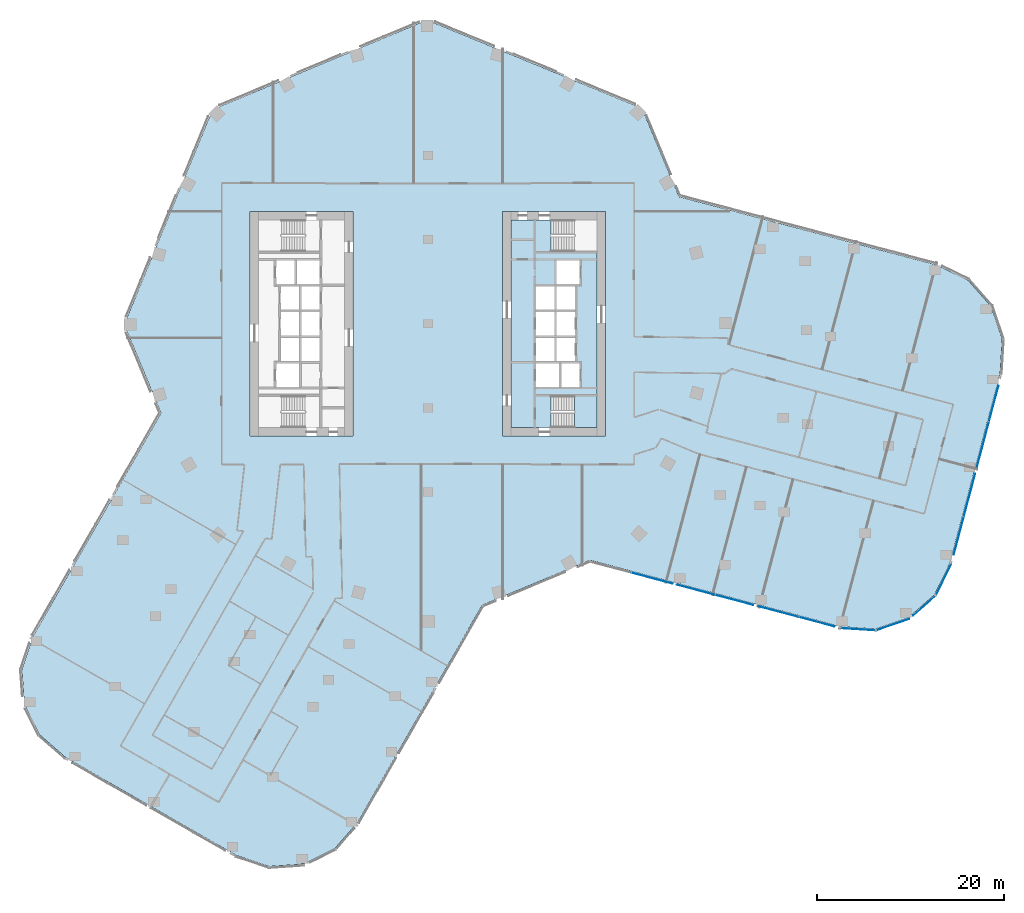
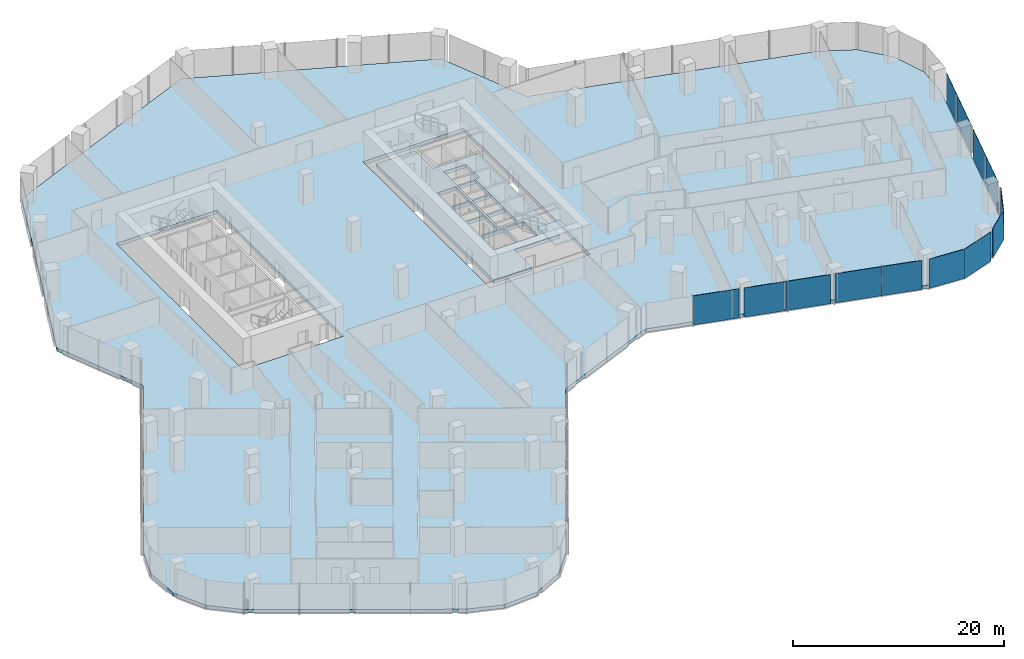
# One storey, part 22 of 34: 13 plates, 3 slabs, 7 elements without a shape of their own.
"""IFC4 building model written with IfcOpenShell, lengths in metres."""

from ifc_helpers import new_model, si_unit, direction, frame, origin, origin_2d, place, context, subcontext, project, spatial, polyline, rectangle, outline, extrude, material, layer, layer_set, type_object, element, aggregate, save


model = new_model("IFC4")

# Units and contexts
model_context = context("Model", 3, precision=1e-05, world=origin(), true_north=direction((0.0, 1.0)))
body_context = subcontext(model_context, "Body", "Model", "MODEL_VIEW")
ifc_project = project(units=[si_unit("LENGTHUNIT", "METRE"), si_unit("AREAUNIT", "SQUARE_METRE"), si_unit("VOLUMEUNIT", "CUBIC_METRE"), si_unit("PLANEANGLEUNIT", "RADIAN"), si_unit("MASSUNIT", "GRAM", prefix="KILO")], contexts=[model_context])

# Site, building, storey
site_placement = place(None, origin())
site = spatial("IfcSite", under=ifc_project, at=site_placement, CompositionType="ELEMENT")
building_placement = place(site_placement, origin())
building = spatial("IfcBuilding", under=site, at=building_placement, Name="Orlundy Tower", CompositionType="ELEMENT")
storey_placement = place(building_placement, frame((0.0, 0.0, 112.699951171875)))
storey = spatial("IfcBuildingStorey", under=building, at=storey_placement, Name="L28", CompositionType="ELEMENT", Elevation=112.699951171875)

# Curtain wall, plates
ifc_material_1 = material(Name="Aluminium bronze anodised", Category="aluminium")
curtain_wall_type = type_object("IfcCurtainWallType", Name="CW1 wall", PredefinedType="NOTDEFINED", material=ifc_material_1)
curtain_wall_1_placement = place(storey_placement, origin())
curtain_wall_1 = element("IfcCurtainWall", 1, at=curtain_wall_1_placement, inside=storey, type_object=curtain_wall_type, Name="CW1 run 00", PredefinedType="NOTDEFINED")
ifc_material_2 = material(Name="Tinted glass", Category="glass")
ifc_layer_1 = layer(ifc_material_2, 0.031982421875)
ifc_layer_set_1 = layer_set([ifc_layer_1], Name="CW1 glass panel 32")
plate_type = type_object("IfcPlateType", Name="CW1 glass panel 32", PredefinedType="CURTAIN_PANEL", material=ifc_layer_set_1)
plate_1_placement = place(storey_placement, frame((41.577392578125, -31.870361328125, -0.27978515625), z_axis=(0.0, 0.0, 1.0), x_axis=(-0.966673796654, 0.256011270968, 0.0)))
plate_1 = element("IfcPlate", 2, at=plate_1_placement, type_object=plate_type, Name="CW1 panel", PredefinedType="CURTAIN_PANEL", context=body_context, shape_type="SweptSolid", body=[
    extrude(rectangle(XDim=3.91357421875, YDim=0.031982421875, at=origin_2d()), origin(), (0.0, 0.0, 1.0), 3.3798828125),
])
plate_2_placement = place(storey_placement, frame((37.4482421875, -30.77685546875, -0.27978515625), z_axis=(0.0, 0.0, 1.0), x_axis=(-0.966673796654, 0.256011270968, 0.0)))
plate_2 = element("IfcPlate", 3, at=plate_2_placement, type_object=plate_type, Name="CW1 panel", PredefinedType="CURTAIN_PANEL", context=body_context, shape_type="SweptSolid", body=[
    extrude(rectangle(XDim=4.529541015625, YDim=0.031982421875, at=origin_2d()), origin(), (0.0, 0.0, 1.0), 3.3798828125),
])
plate_3_placement = place(storey_placement, frame((32.767578125, -29.537109375, -0.27978515625), z_axis=(0.0, 0.0, 1.0), x_axis=(-0.966673796654, 0.256011270968, 0.0)))
plate_3 = element("IfcPlate", 4, at=plate_3_placement, type_object=plate_type, Name="CW1 panel", PredefinedType="CURTAIN_PANEL", context=body_context, shape_type="SweptSolid", body=[
    extrude(rectangle(XDim=4.208984375, YDim=0.031982421875, at=origin_2d()), origin(), (0.0, 0.0, 1.0), 3.3798828125),
])
plate_4_placement = place(storey_placement, frame((28.638916015625, -28.44384765625, -0.27978515625), z_axis=(0.0, 0.0, 1.0), x_axis=(-0.966673796654, 0.256011270968, 0.0)))
plate_4 = element("IfcPlate", 5, at=plate_4_placement, type_object=plate_type, Name="CW1 panel", PredefinedType="CURTAIN_PANEL", context=body_context, shape_type="SweptSolid", body=[
    extrude(rectangle(XDim=4.232666015625, YDim=0.031982421875, at=origin_2d()), origin(), (0.0, 0.0, 1.0), 3.3798828125),
])
plate_5_placement = place(storey_placement, frame((23.957275390625, -27.203857421875, -0.27978515625), z_axis=(0.0, 0.0, 1.0), x_axis=(-0.966673796654, 0.256011270968, 0.0)))
plate_5 = element("IfcPlate", 6, at=plate_5_placement, type_object=plate_type, Name="CW1 panel", PredefinedType="CURTAIN_PANEL", context=body_context, shape_type="SweptSolid", body=[
    extrude(rectangle(XDim=4.503662109375, YDim=0.031982421875, at=origin_2d()), origin(), (0.0, 0.0, 1.0), 3.3798828125),
])
aggregate(curtain_wall_1, [plate_1, plate_2, plate_3, plate_4, plate_5])

curtain_wall_2_placement = place(storey_placement, origin())
curtain_wall_2 = element("IfcCurtainWall", 7, at=curtain_wall_2_placement, inside=storey, type_object=curtain_wall_type, Name="CW1 run 023", PredefinedType="NOTDEFINED")
plate_6_placement = place(storey_placement, frame((60.492431640625, -8.54443359375, -0.27978515625), z_axis=(0.0, 0.0, 1.0), x_axis=(-0.255990719194, -0.966679239296, 0.0)))
plate_6 = element("IfcPlate", 8, at=plate_6_placement, type_object=plate_type, Name="CW1 panel", PredefinedType="CURTAIN_PANEL", context=body_context, shape_type="SweptSolid", body=[
    extrude(rectangle(XDim=3.903076171875, YDim=0.031982421875, at=origin_2d()), origin(), (0.0, 0.0, 1.0), 3.3798828125),
])
plate_7_placement = place(storey_placement, frame((59.342041015625, -12.888916015625, -0.27978515625), z_axis=(0.0, 0.0, 1.0), x_axis=(-0.255990719194, -0.966679239296, 0.0)))
plate_7 = element("IfcPlate", 9, at=plate_7_placement, type_object=plate_type, Name="CW1 panel", PredefinedType="CURTAIN_PANEL", context=body_context, shape_type="SweptSolid", body=[
    extrude(rectangle(XDim=4.985107421875, YDim=0.031982421875, at=origin_2d()), origin(), (0.0, 0.0, 1.0), 3.3798828125),
])
plate_8_placement = place(storey_placement, frame((57.906982421875, -18.308349609375, -0.27978515625), z_axis=(0.0, 0.0, 1.0), x_axis=(-0.255990719194, -0.966679239296, 0.0)))
plate_8 = element("IfcPlate", 10, at=plate_8_placement, type_object=plate_type, Name="CW1 panel", PredefinedType="CURTAIN_PANEL", context=body_context, shape_type="SweptSolid", body=[
    extrude(rectangle(XDim=4.703369140625, YDim=0.031982421875, at=origin_2d()), origin(), (0.0, 0.0, 1.0), 3.3798828125),
])
plate_9_placement = place(storey_placement, frame((56.756591796875, -22.65234375, -0.27978515625), z_axis=(0.0, 0.0, 1.0), x_axis=(-0.255990719194, -0.966679239296, 0.0)))
plate_9 = element("IfcPlate", 11, at=plate_9_placement, type_object=plate_type, Name="CW1 panel", PredefinedType="CURTAIN_PANEL", context=body_context, shape_type="SweptSolid", body=[
    extrude(rectangle(XDim=4.184326171875, YDim=0.031982421875, at=origin_2d()), origin(), (0.0, 0.0, 1.0), 3.3798828125),
])
aggregate(curtain_wall_2, [plate_6, plate_7, plate_8, plate_9])

# Curtain wall, plate
curtain_wall_3_placement = place(storey_placement, origin())
curtain_wall_3 = element("IfcCurtainWall", 12, at=curtain_wall_3_placement, inside=storey, type_object=curtain_wall_type, Name="CW1 run 024", PredefinedType="NOTDEFINED")
plate_10_placement = place(storey_placement, frame((55.119140625, -27.394287109375, -0.27978515625), z_axis=(0.0, 0.0, 1.0), x_axis=(-0.439751990689, -0.898119249702, 0.0)))
plate_10 = element("IfcPlate", 13, at=plate_10_placement, type_object=plate_type, Name="CW1 panel", PredefinedType="CURTAIN_PANEL", context=body_context, shape_type="SweptSolid", body=[
    extrude(rectangle(XDim=3.730224609375, YDim=0.031982421875, at=origin_2d()), origin(), (0.0, 0.0, 1.0), 3.3798828125),
])
aggregate(curtain_wall_3, [plate_10])

curtain_wall_4_placement = place(storey_placement, origin())
curtain_wall_4 = element("IfcCurtainWall", 14, at=curtain_wall_4_placement, inside=storey, type_object=curtain_wall_type, Name="CW1 run 025", PredefinedType="NOTDEFINED")
plate_11_placement = place(storey_placement, frame((53.092041015625, -30.134033203125, -0.27978515625), z_axis=(0.0, 0.0, 1.0), x_axis=(-0.749963804957, -0.661478866824, 0.0)))
plate_11 = element("IfcPlate", 15, at=plate_11_placement, type_object=plate_type, Name="CW1 panel", PredefinedType="CURTAIN_PANEL", context=body_context, shape_type="SweptSolid", body=[
    extrude(rectangle(XDim=3.21875, YDim=0.031982421875, at=origin_2d()), origin(), (0.0, 0.0, 1.0), 3.3798828125),
])
aggregate(curtain_wall_4, [plate_11])

curtain_wall_5_placement = place(storey_placement, origin())
curtain_wall_5 = element("IfcCurtainWall", 16, at=curtain_wall_5_placement, inside=storey, type_object=curtain_wall_type, Name="CW1 run 026", PredefinedType="NOTDEFINED")
plate_12_placement = place(storey_placement, frame((49.686279296875, -32.176025390625, -0.27978515625), z_axis=(0.0, 0.0, 1.0), x_axis=(-0.945950675878, -0.32431052836, 0.0)))
plate_12 = element("IfcPlate", 17, at=plate_12_placement, type_object=plate_type, Name="CW1 panel", PredefinedType="CURTAIN_PANEL", context=body_context, shape_type="SweptSolid", body=[
    extrude(rectangle(XDim=3.771484375, YDim=0.031982421875, at=origin_2d()), origin(), (0.0, 0.0, 1.0), 3.3798828125),
])
aggregate(curtain_wall_5, [plate_12])

curtain_wall_6_placement = place(storey_placement, origin())
curtain_wall_6 = element("IfcCurtainWall", 18, at=curtain_wall_6_placement, inside=storey, type_object=curtain_wall_type, Name="CW1 run 027", PredefinedType="NOTDEFINED")
plate_13_placement = place(storey_placement, frame((46.04052734375, -32.6708984375, -0.27978515625), z_axis=(0.0, 0.0, 1.0), x_axis=(-0.998039963249, 0.06257980311, 0.0)))
plate_13 = element("IfcPlate", 19, at=plate_13_placement, type_object=plate_type, Name="CW1 panel", PredefinedType="CURTAIN_PANEL", context=body_context, shape_type="SweptSolid", body=[
    extrude(rectangle(XDim=3.73095703125, YDim=0.031982421875, at=origin_2d()), origin(), (0.0, 0.0, 1.0), 3.3798828125),
])
aggregate(curtain_wall_6, [plate_13])

# Slab
ifc_material_3 = material(Name="Concrete C50/60", Category="concrete")
ifc_layer_2 = layer(ifc_material_3, 0.409912109375)
ifc_layer_set_2 = layer_set([ifc_layer_2], Name="Core Floor Slab 410")
slab_type_1 = type_object("IfcSlabType", Name="Core Floor Slab 410", PredefinedType="FLOOR", material=ifc_layer_set_2)
slab_1_placement = place(storey_placement, frame((0.0, 0.0, -0.409912109375)))
element("IfcSlab", 20, at=slab_1_placement, inside=storey, type_object=slab_type_1, Name="Core floor E21", PredefinedType="FLOOR", context=body_context, shape_type="SweptSolid", body=[
    extrude(outline(polyline([(13.14501953125, -7.75), (13.14501953125, -11.10009765625), (8.89990234375, -11.10009765625), (8.89990234375, 11.10009765625), (13.14501953125, 11.10009765625), (13.14501953125, 7.75), (18.10009765625, 7.75), (18.10009765625, -7.75), (13.14501953125, -7.75)]), holes=[polyline([(16.239990234375, 6.77490234375), (13.739990234375, 6.77490234375), (13.739990234375, 4.22509765625), (16.239990234375, 4.22509765625), (16.239990234375, 6.77490234375)]), polyline([(13.5400390625, 1.47509765625), (13.5400390625, 4.02490234375), (11.5400390625, 4.02490234375), (11.5400390625, 1.47509765625), (13.5400390625, 1.47509765625)]), polyline([(13.739990234375, 1.47509765625), (15.739990234375, 1.47509765625), (15.739990234375, 4.02490234375), (13.739990234375, 4.02490234375), (13.739990234375, 1.47509765625)]), polyline([(11.5400390625, 1.27490234375), (11.5400390625, -1.27490234375), (13.5400390625, -1.27490234375), (13.5400390625, 1.27490234375), (11.5400390625, 1.27490234375)]), polyline([(15.739990234375, 1.27490234375), (13.739990234375, 1.27490234375), (13.739990234375, -1.27490234375), (15.739990234375, -1.27490234375), (15.739990234375, 1.27490234375)]), polyline([(13.5400390625, -4.02490234375), (13.5400390625, -1.47509765625), (11.5400390625, -1.47509765625), (11.5400390625, -4.02490234375), (13.5400390625, -4.02490234375)]), polyline([(13.739990234375, -4.02490234375), (15.739990234375, -4.02490234375), (15.739990234375, -1.47509765625), (13.739990234375, -1.47509765625), (13.739990234375, -4.02490234375)]), polyline([(11.5400390625, -4.22509765625), (11.5400390625, -6.77490234375), (14.0400390625, -6.77490234375), (14.0400390625, -4.22509765625), (11.5400390625, -4.22509765625)]), polyline([(16.239990234375, -4.22509765625), (14.239990234375, -4.22509765625), (14.239990234375, -6.77490234375), (16.239990234375, -6.77490234375), (16.239990234375, -4.22509765625)])]), origin(), (0.0, 0.0, 1.0), 0.409912109375),
])

# Stair, slab
ifc_material_4 = material(Name="Concrete C50/60", Category="concrete")
stair_type = type_object("IfcStairType", Name="Exit Stair 20 risers", PredefinedType="HALF_TURN_STAIR", material=ifc_material_4)
stair_placement = place(storey_placement, origin())
stair = element("IfcStair", 21, at=stair_placement, inside=storey, type_object=stair_type, Name="L28 Exit Stair ST-E1", PredefinedType="HALF_TURN_STAIR")
ifc_material_5 = material(Name="Concrete C50/60", Category="concrete")
ifc_layer_3 = layer(ifc_material_5, 0.199951171875)
ifc_layer_set_3 = layer_set([ifc_layer_3], Name="Exit Stair Landing")
slab_type_2 = type_object("IfcSlabType", Name="Exit Stair Landing", PredefinedType="LANDING", material=ifc_layer_set_3)
slab_2_placement = place(storey_placement, frame((0.0, 0.0, 1.550048828125)))
slab_2 = element("IfcSlab", 22, at=slab_2_placement, type_object=slab_type_2, Name="ST-E1 landing 1", PredefinedType="LANDING", context=body_context, shape_type="SweptSolid", body=[
    extrude(outline(polyline([(15.659912109375, -11.10009765625), (18.10009765625, -11.10009765625), (18.10009765625, -7.75), (15.659912109375, -7.75), (15.659912109375, -11.10009765625)])), origin(), (0.0, 0.0, 1.0), 0.199951171875),
])
aggregate(stair, [slab_2])

# Slab
ifc_material_6 = material(Name="Concrete C45/55", Category="concrete")
ifc_layer_4 = layer(ifc_material_6, 0.39990234375)
ifc_layer_set_4 = layer_set([ifc_layer_4], Name="FLOOR SLAB THICK 400 C45/55")
slab_type_3 = type_object("IfcSlabType", Name="FLOOR SLAB THICK 400 C45/55", PredefinedType="FLOOR", material=ifc_layer_set_4)
slab_3_placement = place(storey_placement, frame((0.0, 0.0, -0.39990234375)))
element("IfcSlab", 23, at=slab_3_placement, inside=storey, type_object=slab_type_3, Name="Floor slab L28", PredefinedType="FLOOR", context=body_context, shape_type="SweptSolid", body=[
    extrude(outline(polyline([(17.322021484375, -25.277099609375), (5.800048828125, -30.089111328125), (-7.52392578125, -53.322998046875), (-9.9599609375, -56.116943359375), (-13.280029296875, -57.76611328125), (-16.97802734375, -58.02001953125), (-20.490966796875, -56.837890625), (-38.7080078125, -46.39111328125), (-41.501953125, -43.955078125), (-43.152099609375, -40.635986328125), (-43.405029296875, -36.93798828125), (-42.222900390625, -33.424072265625), (-28.527099609375, -9.541015625), (-32.471923828125, -0.093994140625), (-23.028076171875, 22.89404296875), (-0.093994140625, 32.471923828125), (22.89404296875, 23.028076171875), (26.839111328125, 13.58203125), (54.4208984375, 6.277099609375), (57.75, 4.64697265625), (60.201904296875, 1.867919921875), (61.404052734375, -1.638916015625), (61.172119140625, -5.337890625), (55.7958984375, -25.638916015625), (54.166015625, -28.968017578125), (51.385986328125, -31.419921875), (47.8798828125, -32.6220703125), (44.179931640625, -32.389892578125), (17.322021484375, -25.277099609375)]), holes=[polyline([(-8.0, -12.0), (-8.0, 12.0), (-19.0, 12.0), (-19.0, -12.0), (-8.0, -12.0)]), polyline([(19.0, -12.0), (19.0, 12.0), (8.0, 12.0), (8.0, -12.0), (19.0, -12.0)])]), origin(), (0.0, 0.0, 1.0), 0.39990234375),
])

save(model, "model.ifc")
